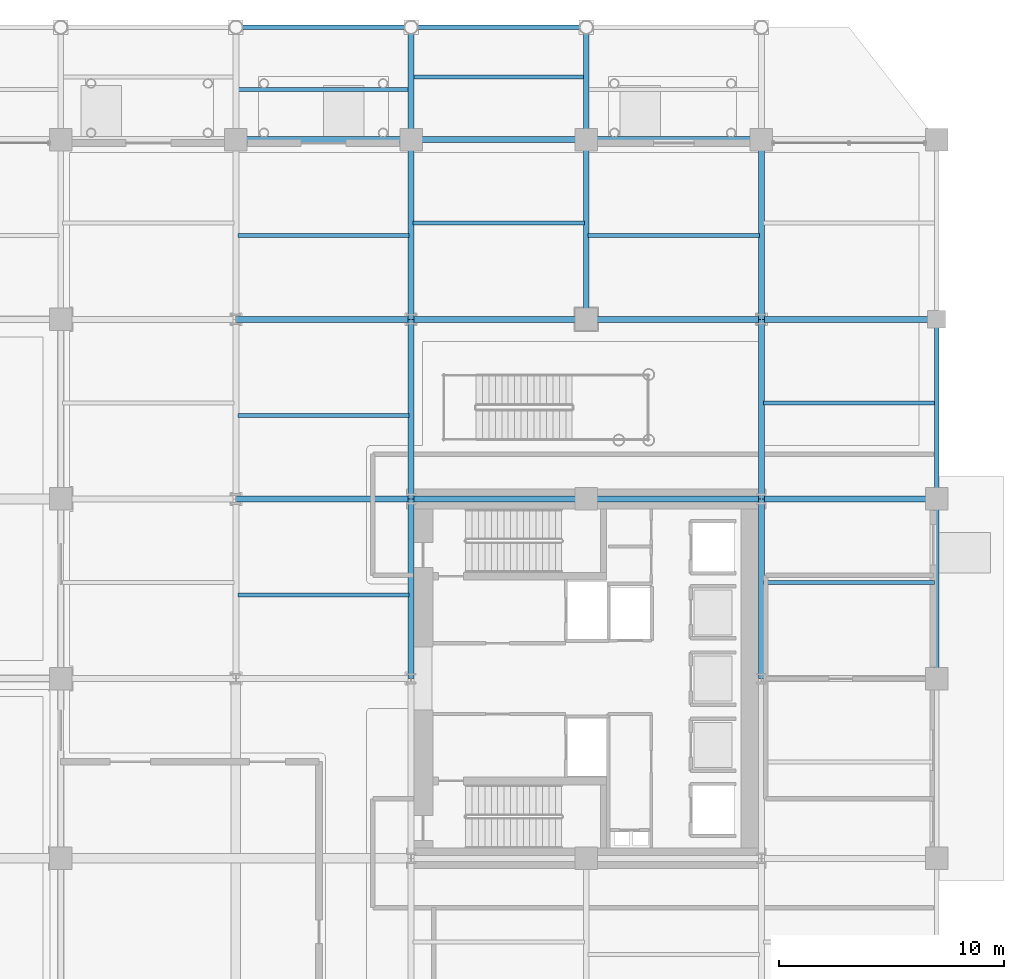
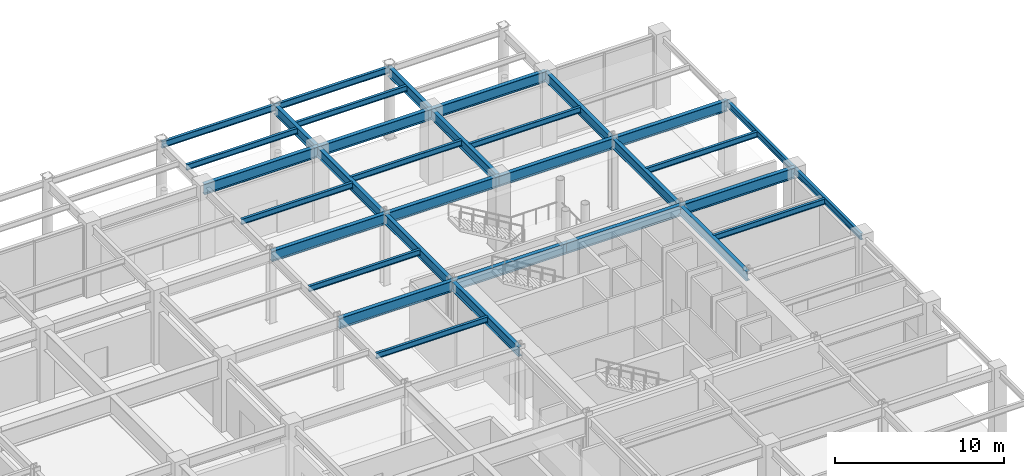
# One storey, part 16 of 27: 33 beams.
"""IFC4 building model written with IfcOpenShell, lengths in metres."""

from ifc_helpers import new_model, si_unit, direction, frame, origin, origin_2d, place, context, subcontext, project, spatial, i_section, extrude, material, material_profile, profile_set, type_object, element, save


model = new_model("IFC4")

# Units and contexts
model_context = context("Model", 3, precision=1e-05, world=origin(), true_north=direction((0.0, 1.0)))
body_context = subcontext(model_context, "Body", "Model", "MODEL_VIEW")
ifc_project = project(units=[si_unit("LENGTHUNIT", "METRE"), si_unit("AREAUNIT", "SQUARE_METRE"), si_unit("VOLUMEUNIT", "CUBIC_METRE"), si_unit("PLANEANGLEUNIT", "RADIAN"), si_unit("MASSUNIT", "GRAM", prefix="KILO")], contexts=[model_context])

# Site, building, storey
site_placement = place(None, origin())
site = spatial("IfcSite", under=ifc_project, at=site_placement, CompositionType="ELEMENT")
building_placement = place(site_placement, origin())
building = spatial("IfcBuilding", under=site, at=building_placement, Name="Veymaron Broadcast Tower", CompositionType="ELEMENT")
storey_placement = place(building_placement, origin())
storey = spatial("IfcBuildingStorey", under=building, at=storey_placement, Name="L00", CompositionType="ELEMENT", Elevation=0.0)

# Beams
ifc_material = material(Name="Structural steel ASTM A992 Gr 50", Category="steel")
ifc_material_profile_1 = material_profile(ifc_material, i_section(OverallWidth=0.177978515625, OverallDepth=0.406982421875, WebThickness=0.0078125, FlangeThickness=0.0126953125, at=origin_2d()), Name="W410X60")
ifc_profile_set_1 = profile_set([ifc_material_profile_1], Name="Structural steel ASTM A992 Gr 50")
beam_type_1 = type_object("IfcBeamType", Name="BM-JS1", PredefinedType="JOIST", material=ifc_profile_set_1)
for number, where, z_axis, x_axis, name in (
    (1, (31.284912109375, 27.719970703125, 4.91650390625), (1.0, 0.0, 0.0), (0.0, 1.0, 0.0), "L00 podium secondary floor joist"),
    (2, (31.284912109375, 35.719970703125, 4.91650390625), (1.0, 0.0, 0.0), (0.0, 1.0, 0.0), "L00 podium secondary floor joist"),
    (3, (31.284912109375, 43.719970703125, 4.91650390625), (1.0, 0.0, 0.0), (0.0, 1.0, 0.0), "L00 podium secondary floor joist"),
    (4, (31.284912109375, 50.219970703125, 4.91650390625), (1.0, 0.0, 0.0), (0.0, 1.0, 0.0), "L00 podium secondary floor joist"),
    (5, (39.0849609375, 44.280029296875, 4.91650390625), (1.0, 0.0, 0.0), (0.0, 1.0, 0.0), "L00 podium secondary floor joist"),
    (6, (39.0849609375, 50.780029296875, 4.91650390625), (1.0, 0.0, 0.0), (0.0, 1.0, 0.0), "L00 podium secondary floor joist"),
):
    element("IfcBeam", number, at=place(storey_placement, frame(where, z_axis=z_axis, x_axis=x_axis)), inside=storey, type_object=beam_type_1, Name=name, PredefinedType="JOIST", context=body_context, shape_type="SweptSolid", body=[
        extrude(i_section(OverallWidth=0.177978515625, OverallDepth=0.406982421875, WebThickness=0.0078125, FlangeThickness=0.0126953125, at=origin_2d()), origin(), (0.0, 0.0, 1.0), 7.630126953125),
    ])
for number, where, z_axis, x_axis, name in (
    (7, (46.885009765625, 43.719970703125, 4.91650390625), (1.0, 0.0, 0.0), (0.0, 1.0, 0.0), "L00 podium secondary floor joist"),
    (8, (54.68505859375, 28.280029296875, 4.91650390625), (1.0, 0.0, 0.0), (0.0, 1.0, 0.0), "L00 podium secondary floor joist"),
    (9, (54.68505859375, 36.280029296875, 4.91650390625), (1.0, 0.0, 0.0), (0.0, 1.0, 0.0), "L00 podium secondary floor joist"),
):
    element("IfcBeam", number, at=place(storey_placement, frame(where, z_axis=z_axis, x_axis=x_axis)), inside=storey, type_object=beam_type_1, Name=name, PredefinedType="JOIST", context=body_context, shape_type="SweptSolid", body=[
        extrude(i_section(OverallWidth=0.177978515625, OverallDepth=0.406982421875, WebThickness=0.0078125, FlangeThickness=0.0126953125, at=origin_2d()), origin(), (0.0, 0.0, 1.0), 7.6298828125),
    ])
ifc_material_profile_2 = material_profile(ifc_material, i_section(OverallWidth=0.26806640625, OverallDepth=0.77001953125, WebThickness=0.015625, FlangeThickness=0.025390625, at=origin_2d()), Name="W760X196")
ifc_profile_set_2 = profile_set([ifc_material_profile_2], Name="Structural steel ASTM A992 Gr 50")
beam_type_2 = type_object("IfcBeamType", Name="BM-PG1", PredefinedType="BEAM", material=ifc_profile_set_2)
for number, where, z_axis, x_axis, name in (
    (10, (31.199951171875, 32.0, 4.735107421875), (1.0, 0.0, 0.0), (0.0, 1.0, 0.0), "L00 podium primary X-girder"),
    (11, (39.0, 32.0, 4.735107421875), (1.0, 0.0, 0.0), (0.0, 1.0, 0.0), "L00 podium primary X-girder"),
    (12, (46.800048828125, 32.0, 4.735107421875), (1.0, 0.0, 0.0), (0.0, 1.0, 0.0), "L00 podium primary X-girder"),
):
    element("IfcBeam", number, at=place(storey_placement, frame(where, z_axis=z_axis, x_axis=x_axis)), inside=storey, type_object=beam_type_2, Name=name, PredefinedType="BEAM", context=body_context, shape_type="SweptSolid", body=[
        extrude(i_section(OverallWidth=0.26806640625, OverallDepth=0.77001953125, WebThickness=0.015625, FlangeThickness=0.025390625, at=origin_2d()), origin(), (0.0, 0.0, 1.0), 7.800048828125),
    ])
beam_1_placement = place(storey_placement, frame((54.60009765625, 32.0, 4.735107421875), z_axis=(1.0, 0.0, 0.0), x_axis=(0.0, 1.0, 0.0)))
element("IfcBeam", 13, at=beam_1_placement, inside=storey, type_object=beam_type_2, Name="L00 podium primary X-girder", PredefinedType="BEAM", context=body_context, shape_type="SweptSolid", body=[
    extrude(i_section(OverallWidth=0.26806640625, OverallDepth=0.77001953125, WebThickness=0.015625, FlangeThickness=0.025390625, at=origin_2d()), origin(), (0.0, 0.0, 1.0), 7.7998046875),
])
for number, where, z_axis, x_axis, name in (
    (14, (31.199951171875, 40.0, 4.735107421875), (1.0, 0.0, 0.0), (0.0, 1.0, 0.0), "L00 podium primary X-girder"),
    (15, (39.0, 40.0, 4.735107421875), (1.0, 0.0, 0.0), (0.0, 1.0, 0.0), "L00 podium primary X-girder"),
    (16, (46.800048828125, 40.0, 4.735107421875), (1.0, 0.0, 0.0), (0.0, 1.0, 0.0), "L00 podium primary X-girder"),
):
    element("IfcBeam", number, at=place(storey_placement, frame(where, z_axis=z_axis, x_axis=x_axis)), inside=storey, type_object=beam_type_2, Name=name, PredefinedType="BEAM", context=body_context, shape_type="SweptSolid", body=[
        extrude(i_section(OverallWidth=0.26806640625, OverallDepth=0.77001953125, WebThickness=0.015625, FlangeThickness=0.025390625, at=origin_2d()), origin(), (0.0, 0.0, 1.0), 7.800048828125),
    ])
beam_2_placement = place(storey_placement, frame((54.60009765625, 40.0, 4.735107421875), z_axis=(1.0, 0.0, 0.0), x_axis=(0.0, 1.0, 0.0)))
element("IfcBeam", 17, at=beam_2_placement, inside=storey, type_object=beam_type_2, Name="L00 podium primary X-girder", PredefinedType="BEAM", context=body_context, shape_type="SweptSolid", body=[
    extrude(i_section(OverallWidth=0.26806640625, OverallDepth=0.77001953125, WebThickness=0.015625, FlangeThickness=0.025390625, at=origin_2d()), origin(), (0.0, 0.0, 1.0), 7.7998046875),
])
for number, where, z_axis, x_axis, name in (
    (18, (31.199951171875, 48.0, 4.735107421875), (1.0, 0.0, 0.0), (0.0, 1.0, 0.0), "L00 podium primary X-girder"),
    (19, (39.0, 48.0, 4.735107421875), (1.0, 0.0, 0.0), (0.0, 1.0, 0.0), "L00 podium primary X-girder"),
    (20, (46.800048828125, 48.0, 4.735107421875), (1.0, 0.0, 0.0), (0.0, 1.0, 0.0), "L00 podium primary X-girder"),
):
    element("IfcBeam", number, at=place(storey_placement, frame(where, z_axis=z_axis, x_axis=x_axis)), inside=storey, type_object=beam_type_2, Name=name, PredefinedType="BEAM", context=body_context, shape_type="SweptSolid", body=[
        extrude(i_section(OverallWidth=0.26806640625, OverallDepth=0.77001953125, WebThickness=0.015625, FlangeThickness=0.025390625, at=origin_2d()), origin(), (0.0, 0.0, 1.0), 7.800048828125),
    ])
ifc_material_profile_3 = material_profile(ifc_material, i_section(OverallWidth=0.256103515625, OverallDepth=0.693115234375, WebThickness=0.014404296875, FlangeThickness=0.023681640625, at=origin_2d()), Name="W690X170")
ifc_profile_set_3 = profile_set([ifc_material_profile_3], Name="Structural steel ASTM A992 Gr 50")
beam_type_3 = type_object("IfcBeamType", Name="BM-PG2", PredefinedType="BEAM", material=ifc_profile_set_3)
for number, where, z_axis, x_axis, name in (
    (21, (39.0, 24.0, 4.7734375), (0.0, 1.0, 0.0), (-1.0, 0.0, 0.0), "L00 podium primary Y-girder"),
    (22, (39.0, 32.0, 4.7734375), (0.0, 1.0, 0.0), (-1.0, 0.0, 0.0), "L00 podium primary Y-girder"),
    (23, (39.0, 40.0, 4.7734375), (0.0, 1.0, 0.0), (-1.0, 0.0, 0.0), "L00 podium primary Y-girder"),
):
    element("IfcBeam", number, at=place(storey_placement, frame(where, z_axis=z_axis, x_axis=x_axis)), inside=storey, type_object=beam_type_3, Name=name, PredefinedType="BEAM", context=body_context, shape_type="SweptSolid", body=[
        extrude(i_section(OverallWidth=0.256103515625, OverallDepth=0.693115234375, WebThickness=0.014404296875, FlangeThickness=0.023681640625, at=origin_2d()), origin(), (0.0, 0.0, 1.0), 8.0),
    ])
beam_3_placement = place(storey_placement, frame((39.0, 48.0, 4.7734375), z_axis=(0.0, 1.0, 0.0), x_axis=(-1.0, 0.0, 0.0)))
element("IfcBeam", 24, at=beam_3_placement, inside=storey, type_object=beam_type_3, Name="L00 podium primary Y-girder", PredefinedType="BEAM", context=body_context, shape_type="SweptSolid", body=[
    extrude(i_section(OverallWidth=0.256103515625, OverallDepth=0.693115234375, WebThickness=0.014404296875, FlangeThickness=0.023681640625, at=origin_2d()), origin(), (0.0, 0.0, 1.0), 5.0),
])
beam_4_placement = place(storey_placement, frame((46.800048828125, 40.0, 4.7734375), z_axis=(0.0, 1.0, 0.0), x_axis=(-1.0, 0.0, 0.0)))
element("IfcBeam", 25, at=beam_4_placement, inside=storey, type_object=beam_type_3, Name="L00 podium primary Y-girder", PredefinedType="BEAM", context=body_context, shape_type="SweptSolid", body=[
    extrude(i_section(OverallWidth=0.256103515625, OverallDepth=0.693115234375, WebThickness=0.014404296875, FlangeThickness=0.023681640625, at=origin_2d()), origin(), (0.0, 0.0, 1.0), 8.0),
])
beam_5_placement = place(storey_placement, frame((46.800048828125, 48.0, 4.7734375), z_axis=(0.0, 1.0, 0.0), x_axis=(-1.0, 0.0, 0.0)))
element("IfcBeam", 26, at=beam_5_placement, inside=storey, type_object=beam_type_3, Name="L00 podium primary Y-girder", PredefinedType="BEAM", context=body_context, shape_type="SweptSolid", body=[
    extrude(i_section(OverallWidth=0.256103515625, OverallDepth=0.693115234375, WebThickness=0.014404296875, FlangeThickness=0.023681640625, at=origin_2d()), origin(), (0.0, 0.0, 1.0), 5.0),
])
for number, where, z_axis, x_axis, name in (
    (27, (54.60009765625, 24.0, 4.7734375), (0.0, 1.0, 0.0), (-1.0, 0.0, 0.0), "L00 podium primary Y-girder"),
    (28, (54.60009765625, 32.0, 4.7734375), (0.0, 1.0, 0.0), (-1.0, 0.0, 0.0), "L00 podium primary Y-girder"),
    (29, (54.60009765625, 40.0, 4.7734375), (0.0, 1.0, 0.0), (-1.0, 0.0, 0.0), "L00 podium primary Y-girder"),
):
    element("IfcBeam", number, at=place(storey_placement, frame(where, z_axis=z_axis, x_axis=x_axis)), inside=storey, type_object=beam_type_3, Name=name, PredefinedType="BEAM", context=body_context, shape_type="SweptSolid", body=[
        extrude(i_section(OverallWidth=0.256103515625, OverallDepth=0.693115234375, WebThickness=0.014404296875, FlangeThickness=0.023681640625, at=origin_2d()), origin(), (0.0, 0.0, 1.0), 8.0),
    ])
ifc_material_profile_4 = material_profile(ifc_material, i_section(OverallWidth=0.19091796875, OverallDepth=0.4599609375, WebThickness=0.010009765625, FlangeThickness=0.01611328125, at=origin_2d()), Name="W460X82")
ifc_profile_set_4 = profile_set([ifc_material_profile_4], Name="Structural steel ASTM A992 Gr 50")
beam_type_4 = type_object("IfcBeamType", Name="BM-SP1", PredefinedType="SPANDREL", material=ifc_profile_set_4)
for number, where, z_axis, x_axis, name in (
    (30, (31.199951171875, 53.0, 4.889892578125), (1.0, 0.0, 0.0), (0.0, 1.0, 0.0), "L00 podium primary X-girder"),
    (31, (39.0, 53.0, 4.889892578125), (1.0, 0.0, 0.0), (0.0, 1.0, 0.0), "L00 podium primary X-girder"),
):
    element("IfcBeam", number, at=place(storey_placement, frame(where, z_axis=z_axis, x_axis=x_axis)), inside=storey, type_object=beam_type_4, Name=name, PredefinedType="SPANDREL", context=body_context, shape_type="SweptSolid", body=[
        extrude(i_section(OverallWidth=0.19091796875, OverallDepth=0.4599609375, WebThickness=0.010009765625, FlangeThickness=0.01611328125, at=origin_2d()), origin(), (0.0, 0.0, 1.0), 7.800048828125),
    ])
for number, where, z_axis, x_axis, name in (
    (32, (62.39990234375, 24.0, 4.889892578125), (0.0, 1.0, 0.0), (-1.0, 0.0, 0.0), "L00 podium primary Y-girder"),
    (33, (62.39990234375, 32.0, 4.889892578125), (0.0, 1.0, 0.0), (-1.0, 0.0, 0.0), "L00 podium primary Y-girder"),
):
    element("IfcBeam", number, at=place(storey_placement, frame(where, z_axis=z_axis, x_axis=x_axis)), inside=storey, type_object=beam_type_4, Name=name, PredefinedType="SPANDREL", context=body_context, shape_type="SweptSolid", body=[
        extrude(i_section(OverallWidth=0.19091796875, OverallDepth=0.4599609375, WebThickness=0.010009765625, FlangeThickness=0.01611328125, at=origin_2d()), origin(), (0.0, 0.0, 1.0), 8.0),
    ])

save(model, "model.ifc")
